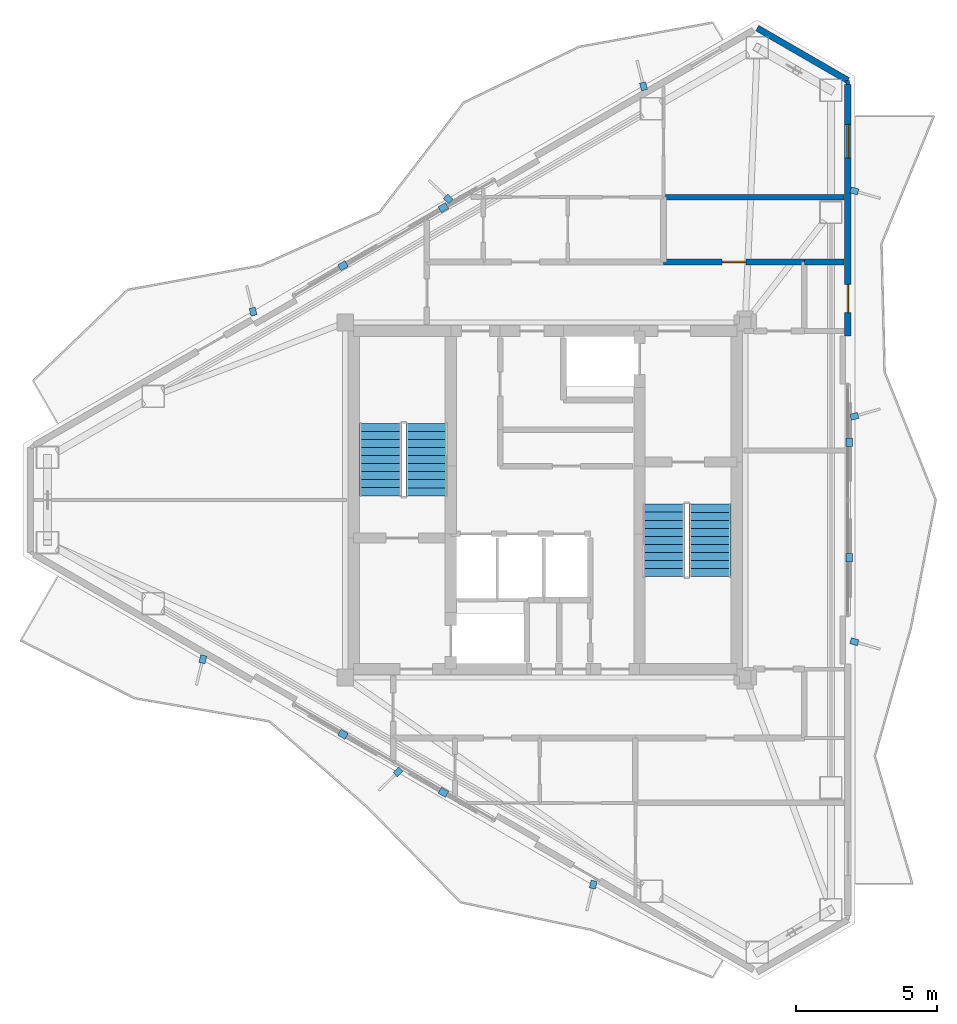
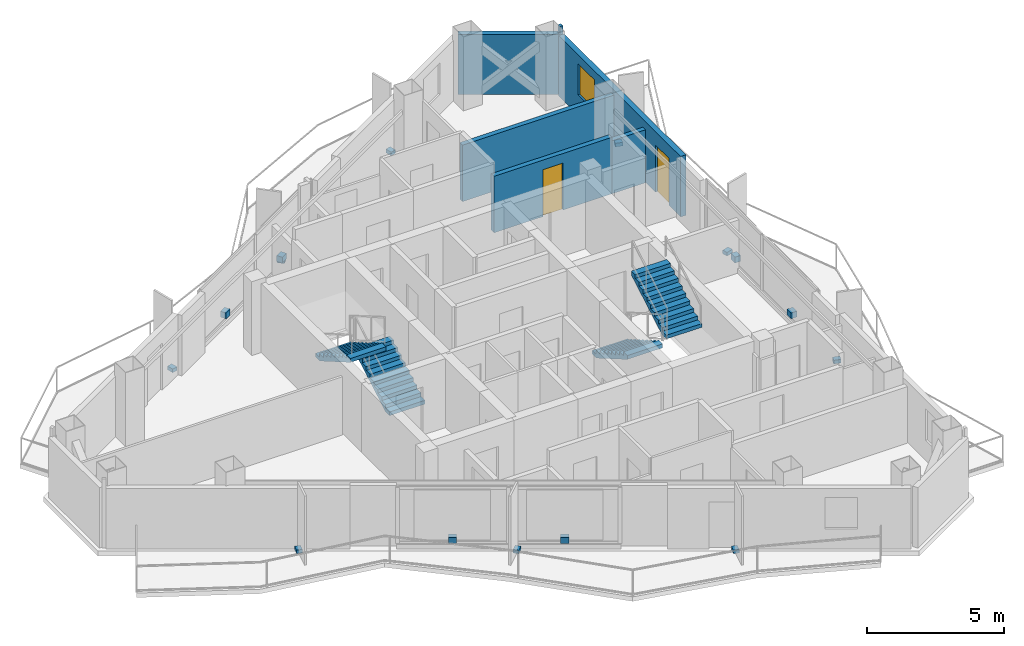
# One storey, part 17 of 18: 15 discrete accessories, 6 walls, 4 stair flights, 2 doors, 1 window, 3 openings, 2 elements without a shape of their own.
"""IFC4 building model written with IfcOpenShell, lengths in metres."""

from ifc_helpers import new_model, si_unit, direction, frame, frame_2d, origin, origin_2d, place, context, subcontext, project, spatial, polyline, rectangle, outline, extrude, material, layer, layer_set, type_object, element, fill, aggregate, save


model = new_model("IFC4")

# Units and contexts
model_context = context("Model", 3, precision=1e-05, world=origin(), true_north=direction((0.0, 1.0)))
body_context = subcontext(model_context, "Body", "Model", "MODEL_VIEW")
ifc_project = project(units=[si_unit("LENGTHUNIT", "METRE"), si_unit("AREAUNIT", "SQUARE_METRE"), si_unit("VOLUMEUNIT", "CUBIC_METRE"), si_unit("PLANEANGLEUNIT", "RADIAN"), si_unit("MASSUNIT", "GRAM", prefix="KILO")], contexts=[model_context])

# Site, building, storey
site_placement = place(None, origin())
site = spatial("IfcSite", under=ifc_project, at=site_placement, CompositionType="ELEMENT")
building_placement = place(site_placement, origin())
building = spatial("IfcBuilding", under=site, at=building_placement, Name="Mersakhor Tower and Convention Hall", CompositionType="ELEMENT")
storey_placement = place(building_placement, frame((0.0, 0.0, 229.800048828125)))
storey = spatial("IfcBuildingStorey", under=building, at=storey_placement, Name="L64", CompositionType="ELEMENT", Elevation=229.800048828125)

# Wall
ifc_material_1 = material(Name="Precast concrete C40/50", Category="concrete")
ifc_layer_1 = layer(ifc_material_1, 0.22509765625)
ifc_layer_set_1 = layer_set([ifc_layer_1], Name="Precast concrete C40/50")
wall_type_1 = type_object("IfcWallType", Name="WL-EXT-225", PredefinedType="SOLIDWALL", material=ifc_layer_set_1)
wall_1_placement = place(storey_placement, frame((36.525146484375, 43.49951171875, 0.0), z_axis=(0.0, 0.0, 1.0), x_axis=(0.866038962515, -0.499976514854, 0.0)))
element("IfcWall", 1, at=wall_1_placement, inside=storey, type_object=wall_type_1, Name="L64 Chamfer Braced Spandrel Wall C1", PredefinedType="SOLIDWALL", context=body_context, shape_type="SweptSolid", body=[
    extrude(rectangle(XDim=3.715576171875, YDim=0.22509765625, at=frame_2d((1.85791015625, 0.0))), origin(), (0.0, 0.0, 1.0), 2.699951171875),
])

# Wall, openings, door, window
wall_2_placement = place(storey_placement, frame((39.742919921875, 41.49169921875, 0.0), z_axis=(0.0, 0.0, 1.0), x_axis=(0.0, -1.0, 0.0)))
wall_2 = element("IfcWall", 2, at=wall_2_placement, inside=storey, type_object=wall_type_1, Name="L64 Exterior Facade Wall F2-B1", PredefinedType="SOLIDWALL", context=body_context, shape_type="SweptSolid", body=[
    extrude(rectangle(XDim=8.927734375, YDim=0.22509765625, at=frame_2d((4.4638671875, 0.0))), origin(), (0.0, 0.0, 1.0), 2.699951171875),
])
opening_1_placement = place(wall_2_placement, frame((7.090087890625, 0.0, 0.0)))
opening_1 = element("IfcOpeningElement", 3, at=opening_1_placement, cuts=wall_2, Name="Opening BD-01", PredefinedType="OPENING", context=body_context, shape_type="SweptSolid", body=[
    extrude(rectangle(XDim=1.0, YDim=2.10009765625, at=frame_2d((0.5, 1.050048828125))), frame((0.0, 0.12255859375, 0.0), z_axis=(0.0, -1.0, 0.0), x_axis=(1.0, 0.0, 0.0)), (0.0, 0.0, 1.0), 0.2451171875),
])
opening_2_placement = place(wall_2_placement, frame((1.406005859375, 0.0, 0.89990234375)))
opening_2 = element("IfcOpeningElement", 4, at=opening_2_placement, cuts=wall_2, Name="Opening W-01", PredefinedType="OPENING", context=body_context, shape_type="SweptSolid", body=[
    extrude(rectangle(XDim=1.199951171875, YDim=1.39990234375, at=frame_2d((0.60009765625, 0.699951171875))), frame((0.0, 0.12255859375, 0.0), z_axis=(0.0, -1.0, 0.0), x_axis=(1.0, 0.0, 0.0)), (0.0, 0.0, 1.0), 0.2451171875),
])
ifc_material_2 = material(Name="Thermally broken dark aluminium and safety glass", Category="aluminium")
door_type_1 = type_object("IfcDoorType", Name="DR-BAL-100x210", OperationType="NOTDEFINED", PredefinedType="DOOR", material=ifc_material_2)
door_1_placement = place(opening_1_placement, origin())
door_1 = element("IfcDoor", 5, at=door_1_placement, inside=storey, type_object=door_type_1, Name="L64 Balcony Terrace Door F2-B1", OperationType="SINGLE_SWING_LEFT", OverallHeight=2.10009765625, OverallWidth=1.0, PredefinedType="DOOR", context=body_context, shape_type="SweptSolid", body=[
    extrude(rectangle(XDim=1.0, YDim=2.10009765625, at=frame_2d((0.5, 1.050048828125))), frame((0.0, 0.02490234375, 0.0), z_axis=(0.0, -1.0, 0.0), x_axis=(1.0, 0.0, 0.0)), (0.0, 0.0, 1.0), 0.050048828125),
])
fill(opening_1, door_1)
ifc_material_3 = material(Name="Dark solar low-E glazed aluminium window", Category="aluminium")
window_type = type_object("IfcWindowType", Name="WN-RES-120x150", PartitioningType="SINGLE_PANEL", PredefinedType="WINDOW", material=ifc_material_3)
window_placement = place(opening_2_placement, origin())
window = element("IfcWindow", 6, at=window_placement, inside=storey, type_object=window_type, Name="L64 Bedroom Facade Window F2-B1-1", OverallHeight=1.39990234375, OverallWidth=1.199951171875, PartitioningType="SINGLE_PANEL", PredefinedType="WINDOW", context=body_context, shape_type="SweptSolid", body=[
    extrude(rectangle(XDim=1.199951171875, YDim=1.39990234375, at=frame_2d((0.60009765625, 0.699951171875))), frame((0.0, 0.030029296875, 0.0), z_axis=(0.0, -1.0, 0.0), x_axis=(1.0, 0.0, 0.0)), (0.0, 0.0, 1.0), 0.06005859375),
])
fill(opening_2, window)

# Wall
ifc_material_4 = material(Name="Gypsum board acoustic partition", Category="other")
ifc_layer_2 = layer(ifc_material_4, 0.125)
ifc_layer_set_2 = layer_set([ifc_layer_2], Name="Gypsum board acoustic partition")
wall_type_2 = type_object("IfcWallType", Name="WL-PRT-125", PredefinedType="PARTITIONING", material=ifc_layer_set_2)
wall_3_placement = place(storey_placement, frame((39.742919921875, 41.64208984375, 0.0), z_axis=(0.0, 0.0, 1.0), x_axis=(0.0, -1.0, 0.0)))
element("IfcWall", 7, at=wall_3_placement, inside=storey, type_object=wall_type_2, Name="L64 Interior Partition Wall P-065", PredefinedType="PARTITIONING", context=body_context, shape_type="SweptSolid", body=[
    extrude(rectangle(XDim=0.150390625, YDim=0.125, at=frame_2d((0.0751953125, 0.0))), origin(), (0.0, 0.0, 1.0), 3.079833984375),
])

# Wall, opening, door
ifc_material_5 = material(Name="Acoustic concrete blockwork and gypsum board", Category="masonry")
ifc_layer_3 = layer(ifc_material_5, 0.199951171875)
ifc_layer_set_3 = layer_set([ifc_layer_3], Name="Acoustic concrete blockwork and gypsum board")
wall_type_3 = type_object("IfcWallType", Name="WL-PRT-200", PredefinedType="PARTITIONING", material=ifc_layer_set_3)
wall_4_placement = place(storey_placement, frame((33.199951171875, 35.199951171875, 0.0), z_axis=(0.0, 0.0, 1.0), x_axis=(1.0, 0.0, 0.0)))
wall_4 = element("IfcWall", 8, at=wall_4_placement, inside=storey, type_object=wall_type_3, Name="L64 Interior Partition Wall P-019", PredefinedType="PARTITIONING", context=body_context, shape_type="SweptSolid", body=[
    extrude(rectangle(XDim=5.0, YDim=0.199951171875, at=frame_2d((2.5, 0.0))), origin(), (0.0, 0.0, 1.0), 2.5283203125),
])
opening_3_placement = place(wall_4_placement, frame((2.074951171875, 0.0, 0.0)))
opening_3 = element("IfcOpeningElement", 9, at=opening_3_placement, cuts=wall_4, Name="Opening SVD-01", PredefinedType="OPENING", context=body_context, shape_type="SweptSolid", body=[
    extrude(rectangle(XDim=0.85009765625, YDim=2.10009765625, at=frame_2d((0.425048828125, 1.050048828125))), frame((0.0, 0.10986328125, 0.0), z_axis=(0.0, -1.0, 0.0), x_axis=(1.0, 0.0, 0.0)), (0.0, 0.0, 1.0), 0.219970703125),
])
ifc_material_6 = material(Name="Fire-rated hardwood leaf and painted steel frame", Category="steel")
door_type_2 = type_object("IfcDoorType", Name="DR-INT-SVC-085x210", OperationType="NOTDEFINED", PredefinedType="DOOR", material=ifc_material_6)
door_2_placement = place(opening_3_placement, origin())
door_2 = element("IfcDoor", 10, at=door_2_placement, inside=storey, type_object=door_type_2, Name="L64 Residential North Gallery Corridor to L64 North-East Household Store Door", OperationType="SINGLE_SWING_RIGHT", OverallHeight=2.10009765625, OverallWidth=0.85009765625, PredefinedType="DOOR", context=body_context, shape_type="SweptSolid", body=[
    extrude(rectangle(XDim=0.85009765625, YDim=2.10009765625, at=frame_2d((0.425048828125, 1.050048828125))), frame((0.0, 0.02490234375, 0.0), z_axis=(0.0, -1.0, 0.0), x_axis=(1.0, 0.0, 0.0)), (0.0, 0.0, 1.0), 0.050048828125),
])
fill(opening_3, door_2)

# Walls
wall_5_placement = place(storey_placement, frame((39.606201171875, 35.199951171875, 0.0), z_axis=(0.0, 0.0, 1.0), x_axis=(-1.0, 0.0, 0.0)))
element("IfcWall", 11, at=wall_5_placement, inside=storey, type_object=wall_type_3, Name="L64 Interior Partition Wall P-054", PredefinedType="PARTITIONING", context=body_context, shape_type="SweptSolid", body=[
    extrude(rectangle(XDim=1.40625, YDim=0.199951171875, at=frame_2d((0.703125, 0.0))), origin(), (0.0, 0.0, 1.0), 2.364990234375),
])
wall_6_placement = place(storey_placement, frame((33.199951171875, 37.5, 0.0), z_axis=(0.0, 0.0, 1.0), x_axis=(1.0, 0.0, 0.0)))
element("IfcWall", 12, at=wall_6_placement, inside=storey, type_object=wall_type_3, Name="L64 Interior Partition Wall P-055", PredefinedType="PARTITIONING", context=body_context, shape_type="SweptSolid", body=[
    extrude(rectangle(XDim=6.40625, YDim=0.199951171875, at=frame_2d((3.203125, 0.0))), origin(), (0.0, 0.0, 1.0), 2.5283203125),
])

# Stair, stair flights
ifc_material_7 = material(Name="Concrete C45/55", Category="concrete")
stair_type = type_object("IfcStairType", Name="ST-TWR-20R", PredefinedType="HALF_TURN_STAIR", material=ifc_material_7)
stair_1_placement = place(storey_placement, origin())
stair_1 = element("IfcStair", 13, at=stair_1_placement, inside=storey, type_object=stair_type, Name="L64 Tower Protected Exit Stair ST-1", PredefinedType="HALF_TURN_STAIR")
ifc_material_8 = material(Name="Concrete C45/55", Category="concrete")
stair_flight_type = type_object("IfcStairFlightType", Name="SFL-TWR-20R", PredefinedType="STRAIGHT", material=ifc_material_8)
stair_flight_1_placement = place(storey_placement, frame((24.800048828125, 26.89990234375, 0.0), z_axis=(0.0, 0.0, 1.0), x_axis=(0.0, 1.0, 0.0)))
stair_flight_1 = element("IfcStairFlight", 14, at=stair_flight_1_placement, type_object=stair_flight_type, Name="ST-1 flight 1", NumberOfRisers=10, NumberOfTreads=9, PredefinedType="STRAIGHT", RiserHeight=0.165, TreadLength=0.285, context=body_context, shape_type="SweptSolid", body=[
    extrude(outline(polyline([(0.0, 0.0), (0.0, 0.1650390625), (0.284912109375, 0.1650390625), (0.284912109375, 0.330078125), (0.570068359375, 0.330078125), (0.570068359375, 0.4951171875), (0.85498046875, 0.4951171875), (0.85498046875, 0.659912109375), (1.139892578125, 0.659912109375), (1.139892578125, 0.824951171875), (1.425048828125, 0.824951171875), (1.425048828125, 0.989990234375), (1.7099609375, 0.989990234375), (1.7099609375, 1.155029296875), (1.9951171875, 1.155029296875), (1.9951171875, 1.320068359375), (2.280029296875, 1.320068359375), (2.280029296875, 1.485107421875), (2.56494140625, 1.485107421875), (2.56494140625, 1.64990234375), (2.56494140625, 1.311767578125), (0.299072265625, 0.0), (0.0, 0.0)])), frame((0.0, 0.75, 0.0), z_axis=(0.0, -1.0, 0.0), x_axis=(1.0, 0.0, 0.0)), (0.0, 0.0, 1.0), 1.5),
])
stair_flight_2_placement = place(storey_placement, frame((23.14990234375, 29.465087890625, 1.64990234375), z_axis=(0.0, 0.0, 1.0), x_axis=(0.0, -1.0, 0.0)))
stair_flight_2 = element("IfcStairFlight", 15, at=stair_flight_2_placement, type_object=stair_flight_type, Name="ST-1 flight 2", NumberOfRisers=10, NumberOfTreads=9, PredefinedType="STRAIGHT", RiserHeight=0.165, TreadLength=0.285, context=body_context, shape_type="SweptSolid", body=[
    extrude(outline(polyline([(0.0, 0.0), (0.0, 0.1650390625), (0.284912109375, 0.1650390625), (0.284912109375, 0.330078125), (0.570068359375, 0.330078125), (0.570068359375, 0.4951171875), (0.85498046875, 0.4951171875), (0.85498046875, 0.659912109375), (1.139892578125, 0.659912109375), (1.139892578125, 0.824951171875), (1.425048828125, 0.824951171875), (1.425048828125, 0.989990234375), (1.7099609375, 0.989990234375), (1.7099609375, 1.155029296875), (1.9951171875, 1.155029296875), (1.9951171875, 1.320068359375), (2.280029296875, 1.320068359375), (2.280029296875, 1.485107421875), (2.56494140625, 1.485107421875), (2.56494140625, 1.64990234375), (2.56494140625, 1.311767578125), (0.299072265625, 0.0), (0.0, 0.0)])), frame((0.0, 0.75, 0.0), z_axis=(0.0, -1.0, 0.0), x_axis=(1.0, 0.0, 0.0)), (0.0, 0.0, 1.0), 1.5),
])
aggregate(stair_1, [stair_flight_1, stair_flight_2])

stair_2_placement = place(storey_placement, origin())
stair_2 = element("IfcStair", 16, at=stair_2_placement, inside=storey, type_object=stair_type, Name="L64 Tower Protected Exit Stair ST-2", PredefinedType="HALF_TURN_STAIR")
stair_flight_3_placement = place(storey_placement, frame((33.199951171875, 26.60009765625, 0.0), z_axis=(0.0, 0.0, 1.0), x_axis=(0.0, -1.0, 0.0)))
stair_flight_3 = element("IfcStairFlight", 17, at=stair_flight_3_placement, type_object=stair_flight_type, Name="ST-2 flight 1", NumberOfRisers=10, NumberOfTreads=9, PredefinedType="STRAIGHT", RiserHeight=0.165, TreadLength=0.285, context=body_context, shape_type="SweptSolid", body=[
    extrude(outline(polyline([(0.0, 0.0), (0.0, 0.1650390625), (0.284912109375, 0.1650390625), (0.284912109375, 0.330078125), (0.570068359375, 0.330078125), (0.570068359375, 0.4951171875), (0.85498046875, 0.4951171875), (0.85498046875, 0.659912109375), (1.139892578125, 0.659912109375), (1.139892578125, 0.824951171875), (1.425048828125, 0.824951171875), (1.425048828125, 0.989990234375), (1.7099609375, 0.989990234375), (1.7099609375, 1.155029296875), (1.9951171875, 1.155029296875), (1.9951171875, 1.320068359375), (2.280029296875, 1.320068359375), (2.280029296875, 1.485107421875), (2.56494140625, 1.485107421875), (2.56494140625, 1.64990234375), (2.56494140625, 1.311767578125), (0.299072265625, 0.0), (0.0, 0.0)])), frame((0.0, 0.75, 0.0), z_axis=(0.0, -1.0, 0.0), x_axis=(1.0, 0.0, 0.0)), (0.0, 0.0, 1.0), 1.5),
])
stair_flight_4_placement = place(storey_placement, frame((34.85009765625, 24.034912109375, 1.64990234375), z_axis=(0.0, 0.0, 1.0), x_axis=(0.0, 1.0, 0.0)))
stair_flight_4 = element("IfcStairFlight", 18, at=stair_flight_4_placement, type_object=stair_flight_type, Name="ST-2 flight 2", NumberOfRisers=10, NumberOfTreads=9, PredefinedType="STRAIGHT", RiserHeight=0.165, TreadLength=0.285, context=body_context, shape_type="SweptSolid", body=[
    extrude(outline(polyline([(0.0, 0.0), (0.0, 0.1650390625), (0.284912109375, 0.1650390625), (0.284912109375, 0.330078125), (0.570068359375, 0.330078125), (0.570068359375, 0.4951171875), (0.85498046875, 0.4951171875), (0.85498046875, 0.659912109375), (1.139892578125, 0.659912109375), (1.139892578125, 0.824951171875), (1.425048828125, 0.824951171875), (1.425048828125, 0.989990234375), (1.7099609375, 0.989990234375), (1.7099609375, 1.155029296875), (1.9951171875, 1.155029296875), (1.9951171875, 1.320068359375), (2.280029296875, 1.320068359375), (2.280029296875, 1.485107421875), (2.56494140625, 1.485107421875), (2.56494140625, 1.64990234375), (2.56494140625, 1.311767578125), (0.299072265625, 0.0), (0.0, 0.0)])), frame((0.0, 0.75, 0.0), z_axis=(0.0, -1.0, 0.0), x_axis=(1.0, 0.0, 0.0)), (0.0, 0.0, 1.0), 1.5),
])
aggregate(stair_2, [stair_flight_3, stair_flight_4])

# Discrete accessories
ifc_material_9 = material(Name="Galvanised steel bracket", Category="steel")
ifc_layer_4 = layer(ifc_material_9, 0.02001953125)
ifc_layer_set_4 = layer_set([ifc_layer_4], Name="Galvanised steel bracket")
discrete_accessory_type = type_object("IfcDiscreteAccessoryType", Name="ACC-BRK-STL", PredefinedType="BRACKET", material=ifc_layer_set_4)
for number, where, z_axis, x_axis, name in (
    (19, (21.822265625, 35.068359375, 0.2900390625), (0.0, 0.0, 1.0), (0.866025403784, 0.5, 0.0), "L64 Solar Screen Outrigger Bracket BRK-1-1"),
    (20, (25.385009765625, 37.125244140625, 0.2900390625), (0.0, 0.0, 1.0), (0.866025403784, 0.5, 0.0), "L64 Solar Screen Outrigger Bracket BRK-1-2"),
):
    element("IfcDiscreteAccessory", number, at=place(storey_placement, frame(where, z_axis=z_axis, x_axis=x_axis)), inside=storey, type_object=discrete_accessory_type, Name=name, PredefinedType="BRACKET", context=body_context, shape_type="SweptSolid", body=[
        extrude(rectangle(XDim=0.300048828125, YDim=0.239990234375, at=origin_2d()), origin(), (0.0, 0.0, 1.0), 0.260009765625),
    ])
for number, where, z_axis, x_axis, name in (
    (21, (18.632568359375, 33.434814453125, -0.02001953125), (0.0, 0.0, 1.0), (-0.2419218956, 0.970295726276, 0.0), "L64 Facade Fin Base Cleat Bracket FBRK-1-1"),
    (22, (25.560791015625, 37.434814453125, -0.02001953125), (0.0, 0.0, 1.0), (-0.719339800339, 0.694658370459, 0.0), "L64 Facade Fin Base Cleat Bracket FBRK-1-2"),
    (23, (32.489013671875, 41.434814453125, -0.02001953125), (0.0, 0.0, 1.0), (-0.2419218956, 0.970295726276, 0.0), "L64 Facade Fin Base Cleat Bracket FBRK-1-3"),
):
    element("IfcDiscreteAccessory", number, at=place(storey_placement, frame(where, z_axis=z_axis, x_axis=x_axis)), inside=storey, type_object=discrete_accessory_type, Name=name, PredefinedType="BRACKET", context=body_context, shape_type="SweptSolid", body=[
        extrude(rectangle(XDim=0.280029296875, YDim=0.219970703125, at=origin_2d()), origin(), (0.0, 0.0, 1.0), 0.159912109375),
    ])
for number, where, z_axis, x_axis, name in (
    (24, (39.792724609375, 28.806884765625, 0.2900390625), (0.0, 0.0, 1.0), (0.0, -1.0, 0.0), "L64 Solar Screen Outrigger Bracket BRK-2-1"),
    (25, (39.792724609375, 24.693115234375, 0.2900390625), (0.0, 0.0, 1.0), (0.0, -1.0, 0.0), "L64 Solar Screen Outrigger Bracket BRK-2-2"),
):
    element("IfcDiscreteAccessory", number, at=place(storey_placement, frame(where, z_axis=z_axis, x_axis=x_axis)), inside=storey, type_object=discrete_accessory_type, Name=name, PredefinedType="BRACKET", context=body_context, shape_type="SweptSolid", body=[
        extrude(rectangle(XDim=0.300048828125, YDim=0.239990234375, at=origin_2d()), origin(), (0.0, 0.0, 1.0), 0.260009765625),
    ])
for number, where, z_axis, x_axis, name in (
    (26, (39.972900390625, 37.719482421875, -0.02001953125), (0.0, 0.0, 1.0), (0.961261695938, -0.275637355817, 0.0), "L64 Facade Fin Base Cleat Bracket FBRK-2-1"),
    (27, (39.972900390625, 29.719482421875, -0.02001953125), (0.0, 0.0, 1.0), (0.961261695938, 0.275637355817, 0.0), "L64 Facade Fin Base Cleat Bracket FBRK-2-2"),
    (28, (39.972900390625, 21.719482421875, -0.02001953125), (0.0, 0.0, 1.0), (0.961261695938, -0.275637355817, 0.0), "L64 Facade Fin Base Cleat Bracket FBRK-2-3"),
):
    element("IfcDiscreteAccessory", number, at=place(storey_placement, frame(where, z_axis=z_axis, x_axis=x_axis)), inside=storey, type_object=discrete_accessory_type, Name=name, PredefinedType="BRACKET", context=body_context, shape_type="SweptSolid", body=[
        extrude(rectangle(XDim=0.280029296875, YDim=0.219970703125, at=origin_2d()), origin(), (0.0, 0.0, 1.0), 0.159912109375),
    ])
for number, where, z_axis, x_axis, name in (
    (29, (25.385009765625, 16.374755859375, 0.2900390625), (0.0, 0.0, 1.0), (-0.866025403784, 0.5, 0.0), "L64 Solar Screen Outrigger Bracket BRK-3-1"),
    (30, (21.822265625, 18.431640625, 0.2900390625), (0.0, 0.0, 1.0), (-0.866025403784, 0.5, 0.0), "L64 Solar Screen Outrigger Bracket BRK-3-2"),
):
    element("IfcDiscreteAccessory", number, at=place(storey_placement, frame(where, z_axis=z_axis, x_axis=x_axis)), inside=storey, type_object=discrete_accessory_type, Name=name, PredefinedType="BRACKET", context=body_context, shape_type="SweptSolid", body=[
        extrude(rectangle(XDim=0.300048828125, YDim=0.239990234375, at=origin_2d()), origin(), (0.0, 0.0, 1.0), 0.260009765625),
    ])
for number, where, z_axis, x_axis, name in (
    (31, (30.7041015625, 13.095947265625, -0.02001953125), (0.0, 0.0, 1.0), (-0.2419218956, -0.970295726276, 0.0), "L64 Facade Fin Base Cleat Bracket FBRK-3-1"),
    (32, (23.77587890625, 17.095947265625, -0.02001953125), (0.0, 0.0, 1.0), (-0.719339800339, -0.694658370459, 0.0), "L64 Facade Fin Base Cleat Bracket FBRK-3-2"),
    (33, (16.84765625, 21.095947265625, -0.02001953125), (0.0, 0.0, 1.0), (-0.2419218956, -0.970295726276, 0.0), "L64 Facade Fin Base Cleat Bracket FBRK-3-3"),
):
    element("IfcDiscreteAccessory", number, at=place(storey_placement, frame(where, z_axis=z_axis, x_axis=x_axis)), inside=storey, type_object=discrete_accessory_type, Name=name, PredefinedType="BRACKET", context=body_context, shape_type="SweptSolid", body=[
        extrude(rectangle(XDim=0.280029296875, YDim=0.219970703125, at=origin_2d()), origin(), (0.0, 0.0, 1.0), 0.159912109375),
    ])

save(model, "model.ifc")
